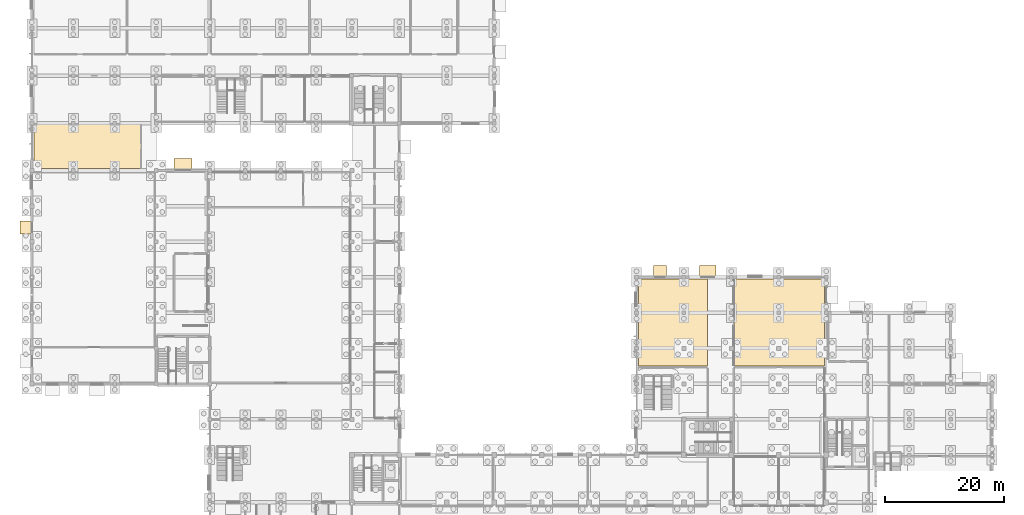
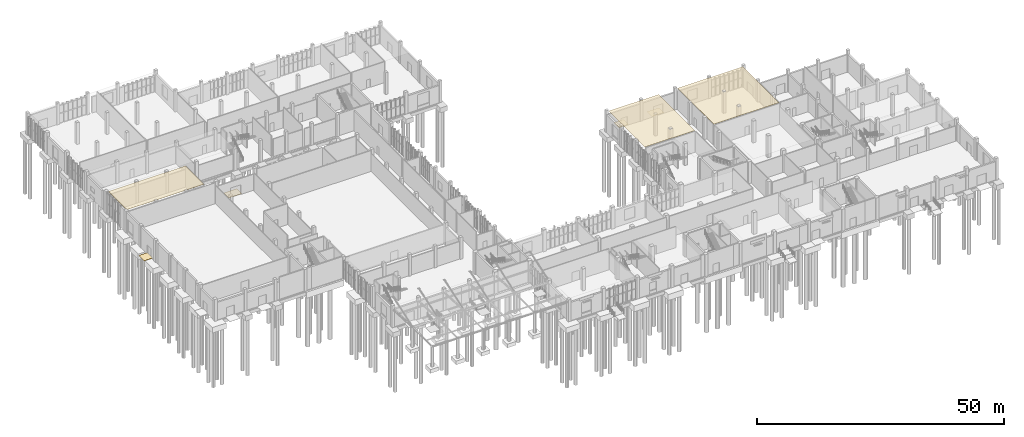
# One storey, part 64 of 69: 7 coverings.
"""IFC4 building model written with IfcOpenShell, lengths in metres."""

from ifc_helpers import new_model, si_unit, direction, frame, origin, place, context, subcontext, project, spatial, polyline, outline, extrude, material, layer, layer_set, type_object, element, save


model = new_model("IFC4")

# Units and contexts
model_context = context("Model", 3, precision=1e-05, world=origin(), true_north=direction((0.0, 1.0)))
body_context = subcontext(model_context, "Body", "Model", "MODEL_VIEW")
ifc_project = project(units=[si_unit("LENGTHUNIT", "METRE"), si_unit("AREAUNIT", "SQUARE_METRE"), si_unit("VOLUMEUNIT", "CUBIC_METRE"), si_unit("PLANEANGLEUNIT", "RADIAN"), si_unit("MASSUNIT", "GRAM", prefix="KILO")], contexts=[model_context])

# Site, building, storey
site_placement = place(None, origin())
site = spatial("IfcSite", under=ifc_project, at=site_placement, CompositionType="ELEMENT")
building_placement = place(site_placement, origin())
building = spatial("IfcBuilding", under=site, at=building_placement, Name="Solvane Community Centre", CompositionType="ELEMENT")
storey_placement = place(building_placement, origin())
storey = spatial("IfcBuildingStorey", under=building, at=storey_placement, Name="L00", CompositionType="ELEMENT", Elevation=0.0)

# Coverings
ifc_material_1 = material(Name="Acoustic timber slat ceiling", Category="wood")
ifc_layer_1 = layer(ifc_material_1, 0.0400390625)
ifc_layer_set_1 = layer_set([ifc_layer_1], Name="Acoustic timber slat ceiling")
covering_type_1 = type_object("IfcCoveringType", Name="Acoustic Timber Slat Suspended Ceiling", PredefinedType="CEILING", material=ifc_layer_set_1)
covering_1_placement = place(storey_placement, frame((0.0, 0.0, 5.135009765625)))
element("IfcCovering", 1, at=covering_1_placement, inside=storey, type_object=covering_type_1, Name="Acoustic Ceiling L00-33", PredefinedType="CEILING", context=body_context, shape_type="SweptSolid", body=[
    extrude(outline(polyline([(108.320068359375, 45.02001953125), (108.320068359375, 59.679931640625), (119.97998046875, 59.679931640625), (119.97998046875, 45.02001953125), (108.320068359375, 45.02001953125)])), origin(), (0.0, 0.0, 1.0), 0.0400390625),
])
covering_2_placement = place(storey_placement, frame((0.0, 0.0, 5.135009765625)))
element("IfcCovering", 2, at=covering_2_placement, inside=storey, type_object=covering_type_1, Name="Acoustic Ceiling L00-35", PredefinedType="CEILING", context=body_context, shape_type="SweptSolid", body=[
    extrude(outline(polyline([(124.419921875, 45.02001953125), (124.419921875, 59.679931640625), (139.679931640625, 59.679931640625), (139.679931640625, 45.02001953125), (124.419921875, 45.02001953125)])), origin(), (0.0, 0.0, 1.0), 0.0400390625),
])
covering_3_placement = place(storey_placement, frame((0.0, 0.0, 5.135009765625)))
element("IfcCovering", 3, at=covering_3_placement, inside=storey, type_object=covering_type_1, Name="Acoustic Ceiling L00-45", PredefinedType="CEILING", context=body_context, shape_type="SweptSolid", body=[
    extrude(outline(polyline([(6.320068359375, 78.320068359375), (6.320068359375, 85.780029296875), (24.3798828125, 85.780029296875), (24.3798828125, 78.320068359375), (6.320068359375, 78.320068359375)])), origin(), (0.0, 0.0, 1.0), 0.0400390625),
])
ifc_material_2 = material(Name="Precast concrete C35/45", Category="concrete")
ifc_layer_2 = layer(ifc_material_2, 0.0400390625)
ifc_layer_set_2 = layer_set([ifc_layer_2], Name="Precast concrete C35/45")
covering_type_2 = type_object("IfcCoveringType", Name="Stone Entrance Threshold Apron", PredefinedType="FLOORING", material=ifc_layer_set_2)
covering_4_placement = place(storey_placement, frame((0.0, 0.0, -0.0400390625)))
element("IfcCovering", 4, at=covering_4_placement, inside=storey, type_object=covering_type_2, Name="Entrance Threshold Apron L00-ED12", PredefinedType="FLOORING", context=body_context, shape_type="SweptSolid", body=[
    extrude(outline(polyline([(6.0, 67.300048828125), (6.0, 69.5), (4.0, 69.5), (4.0, 67.300048828125), (6.0, 67.300048828125)])), origin(), (0.0, 0.0, 1.0), 0.0400390625),
])
covering_5_placement = place(storey_placement, frame((0.0, 0.0, -0.0400390625)))
element("IfcCovering", 5, at=covering_5_placement, inside=storey, type_object=covering_type_2, Name="Entrance Threshold Apron L00-ED18", PredefinedType="FLOORING", context=body_context, shape_type="SweptSolid", body=[
    extrude(outline(polyline([(110.89990234375, 60.0), (113.10009765625, 60.0), (113.10009765625, 62.0), (110.89990234375, 62.0), (110.89990234375, 60.0)])), origin(), (0.0, 0.0, 1.0), 0.0400390625),
])
covering_6_placement = place(storey_placement, frame((0.0, 0.0, -0.0400390625)))
element("IfcCovering", 6, at=covering_6_placement, inside=storey, type_object=covering_type_2, Name="Entrance Threshold Apron L00-ED19", PredefinedType="FLOORING", context=body_context, shape_type="SweptSolid", body=[
    extrude(outline(polyline([(118.60009765625, 60.0), (121.39990234375, 60.0), (121.39990234375, 62.0), (118.60009765625, 62.0), (118.60009765625, 60.0)])), origin(), (0.0, 0.0, 1.0), 0.0400390625),
])
covering_7_placement = place(storey_placement, frame((0.0, 0.0, -0.0400390625)))
element("IfcCovering", 7, at=covering_7_placement, inside=storey, type_object=covering_type_2, Name="Entrance Threshold Apron L00-ED26", PredefinedType="FLOORING", context=body_context, shape_type="SweptSolid", body=[
    extrude(outline(polyline([(30.0, 78.0), (33.0, 78.0), (33.0, 80.0), (30.0, 80.0), (30.0, 78.0)])), origin(), (0.0, 0.0, 1.0), 0.0400390625),
])

save(model, "model.ifc")
